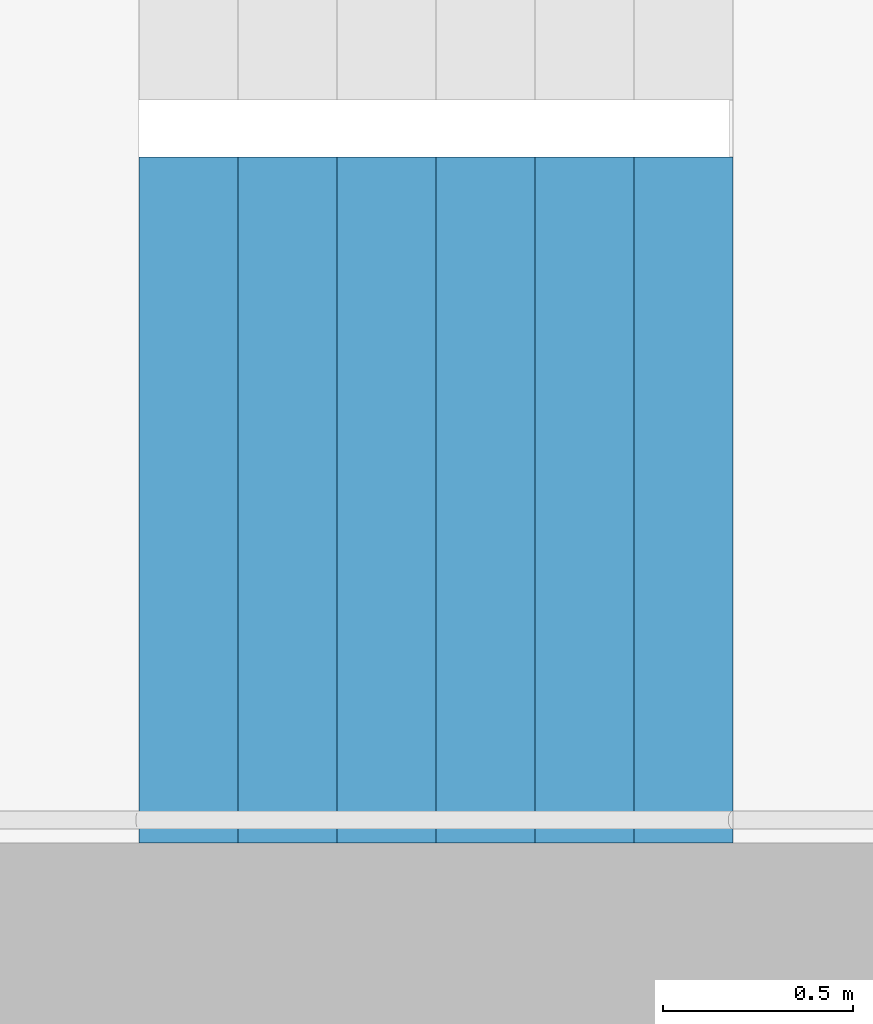
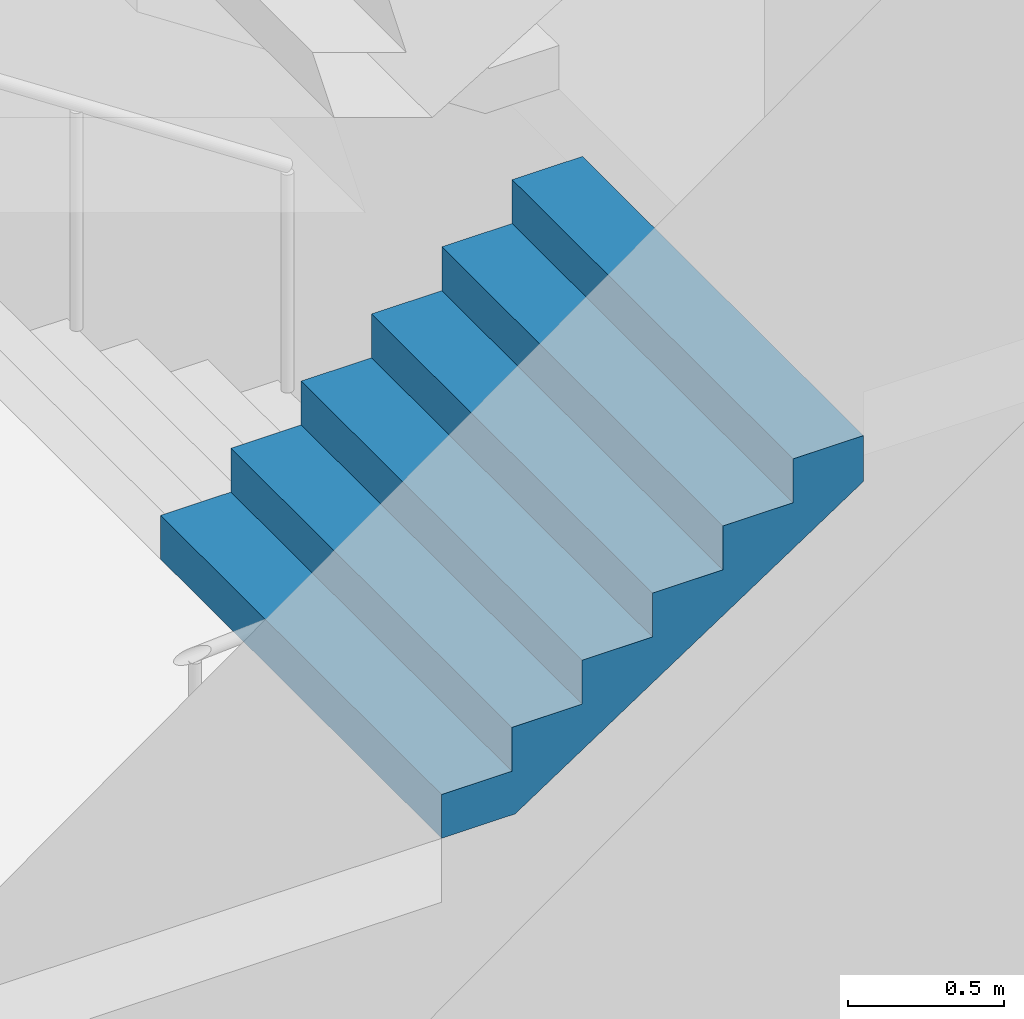
# One storey, part 27 of 53: 1 stair flight, 1 element without a shape of its own.
"""IFC4 building model written with IfcOpenShell, lengths in metres."""

import ifcopenshell
import ifcopenshell.guid

model = None  # the IFC model being written
_history = None  # IfcOwnerHistory: only IFC2X3 demands one
_inside = {}  # id of a spatial element -> (the spatial element, [elements in it])
_under = {}  # id of a project, library or spatial element -> (it, [spatial elements below it])
_declared = {}  # id of a project -> (the project, [libraries it declares])
_typed = {}  # id of a type object -> (the type object, [elements of that type])
_made_of = {}  # id of a material, layer set ... -> (it, [elements and type objects made of it])


def new_model(schema):
    """Start an empty IFC model of exactly this schema.

    Asked for "IFC4X3", IfcOpenShell would pick the latest addendum, in which some entities
    have other attributes; the version numbers below select the first issue.
    IFC2X3 requires an IfcOwnerHistory on every rooted entity: one is made here for all.
    """
    global model, _history
    if schema == "IFC4X3":
        model = ifcopenshell.file(schema_version=(4, 3, 0, 0))
    else:
        model = ifcopenshell.file(schema=schema)
    _inside.clear()
    _under.clear()
    _declared.clear()
    _typed.clear()
    _made_of.clear()
    _history = None
    if model.schema == "IFC2X3":
        org = make("IfcOrganization", Name="unknown")
        user = make(
            "IfcPersonAndOrganization",
            ThePerson=make("IfcPerson", FamilyName="unknown"),
            TheOrganization=org,
        )
        app = make(
            "IfcApplication",
            ApplicationDeveloper=org,
            Version="unknown",
            ApplicationFullName="unknown",
            ApplicationIdentifier="unknown",
        )
        _history = make(
            "IfcOwnerHistory",
            OwningUser=user,
            OwningApplication=app,
            ChangeAction="ADDED",
            CreationDate=0,
        )
    return model


def make(cls, **values):
    """One entity of the class cls with the attributes given. An attribute that is None is left unset."""
    return model.create_entity(
        cls, **{name: value for name, value in values.items() if value is not None}
    )


def rooted(cls, **values):
    """An entity with a GlobalId (a new one), such as an element, a storey or a relation."""
    return make(cls, GlobalId=ifcopenshell.guid.new(), OwnerHistory=_history, **values)


def si_unit(unit_type, name, prefix=None):
    """IfcSIUnit, for example si_unit("LENGTHUNIT", "METRE", prefix="MILLI")."""
    return make("IfcSIUnit", UnitType=unit_type, Prefix=prefix, Name=name)


def assignment(units):
    """IfcUnitAssignment: the units of a project."""
    return None if units is None else make("IfcUnitAssignment", Units=units)


def point(xyz):
    """IfcCartesianPoint."""
    return None if xyz is None else make("IfcCartesianPoint", Coordinates=xyz)


def direction(xyz):
    """IfcDirection."""
    return None if xyz is None else make("IfcDirection", DirectionRatios=xyz)


def frame(location, z_axis=None, x_axis=None):
    """IfcAxis2Placement3D, a coordinate frame: its origin and axes. An axis left out is left unset."""
    return make(
        "IfcAxis2Placement3D",
        Location=point(location),
        Axis=direction(z_axis),
        RefDirection=direction(x_axis),
    )


def origin():
    """The frame at (0, 0, 0) with its axes left unset."""
    return frame((0.0, 0.0, 0.0))


def place(relative_to, where):
    """IfcLocalPlacement: puts the frame where relative to a parent placement (None: the world)."""
    return make(
        "IfcLocalPlacement", PlacementRelTo=relative_to, RelativePlacement=where
    )


def context(
    kind, dimensions, precision=None, world=None, true_north=None, identifier=None
):
    """IfcGeometricRepresentationContext, for example the 3D "Model" context."""
    return make(
        "IfcGeometricRepresentationContext",
        ContextIdentifier=identifier,
        ContextType=kind,
        CoordinateSpaceDimension=dimensions,
        Precision=precision,
        WorldCoordinateSystem=world,
        TrueNorth=true_north,
    )


def subcontext(parent, identifier, kind, view, scale=None):
    """IfcGeometricRepresentationSubContext, for example "Body" below "Model"."""
    return make(
        "IfcGeometricRepresentationSubContext",
        ContextIdentifier=identifier,
        ContextType=kind,
        ParentContext=parent,
        TargetScale=scale,
        TargetView=view,
    )


def project(units=None, contexts=None):
    """IfcProject with its units and contexts."""
    return rooted(
        "IfcProject",
        Name="project",
        RepresentationContexts=contexts,
        UnitsInContext=assignment(units),
    )


def spatial(cls, under=None, at=None, **own):
    """A site, building, storey or space (cls), placed at a placement, below another one or the project."""
    s = rooted(cls, ObjectPlacement=at, **own)
    if under is not None:
        _under.setdefault(under.id(), (under, []))[1].append(s)
    return s


def point_list(points):
    """IfcCartesianPointList2D or 3D."""
    cls = (
        "IfcCartesianPointList2D" if len(points[0]) == 2 else "IfcCartesianPointList3D"
    )
    return make(cls, CoordList=points)


def triangles(points, corners, closed=None, point_numbers=None):
    """IfcTriangulatedFaceSet: each triangle names its three corners, points numbered from 1."""
    return make(
        "IfcTriangulatedFaceSet",
        Coordinates=point_list(points),
        Closed=closed,
        CoordIndex=corners,
        PnIndex=point_numbers,
    )


def shape(context_of_items, identifier, shape_type, items):
    """IfcShapeRepresentation: the items that make up one representation, for example the "Body"."""
    return make(
        "IfcShapeRepresentation",
        ContextOfItems=context_of_items,
        RepresentationIdentifier=identifier,
        RepresentationType=shape_type,
        Items=items,
    )


def material(Name=None, Category=None):
    """IfcMaterial."""
    return make("IfcMaterial", Name=Name, Category=Category)


def made_of(thing, what):
    """Note that an element or type object is made of a material, layer set ...; save() writes the relation."""
    if what is not None:
        _made_of.setdefault(what.id(), (what, []))[1].append(thing)
    return thing


def type_object(cls, material=None, **own):
    """A type object (cls), such as IfcWallType, which elements share."""
    return made_of(rooted(cls, **own), material)


def element(
    cls,
    number,
    at=None,
    inside=None,
    cuts=None,
    type_object=None,
    material=None,
    context=None,
    identifier="Body",
    shape_type=None,
    held_by="IfcProductDefinitionShape",
    body=None,
    shapes=None,
    **own,
):
    """One element of the class cls, such as IfcWall. Its Tag is "e" and its number.

    at: its placement. inside: the storey or other place that contains it. cuts: it is an
    opening in that element (IfcRelVoidsElement). A single representation is given by context,
    identifier, shape_type and body (its items); several are given by shapes. held_by: the class
    of the entity that holds the representations. save() writes the other relations.
    """
    e = rooted(cls, Tag="e%d" % number, ObjectPlacement=at, **own)
    if body is not None:
        shapes = [shape(context, identifier, shape_type, body)]
    if shapes is not None:
        e.Representation = make(held_by, Representations=shapes)
    if inside is not None:
        _inside.setdefault(inside.id(), (inside, []))[1].append(e)
    if cuts is not None:
        rooted(
            "IfcRelVoidsElement", RelatingBuildingElement=cuts, RelatedOpeningElement=e
        )
    if type_object is not None:
        _typed.setdefault(type_object.id(), (type_object, []))[1].append(e)
    return made_of(e, material)


def aggregate(whole, parts):
    """IfcRelAggregates: a whole, such as a stair, and the parts it consists of."""
    return rooted("IfcRelAggregates", RelatingObject=whole, RelatedObjects=parts)


def save(model, path):
    """Write the relations noted so far, then the file.

    IfcRelAggregates (storeys below a building ...), IfcRelContainedInSpatialStructure (elements
    in a storey), IfcRelDefinesByType, IfcRelAssociatesMaterial and IfcRelDeclares: one each for
    every whole, place, type object, material and project.
    """
    for whole, parts in _under.values():
        aggregate(whole, parts)
    for where, things in _inside.values():
        rooted(
            "IfcRelContainedInSpatialStructure",
            RelatedElements=things,
            RelatingStructure=where,
        )
    for kind, things in _typed.values():
        rooted("IfcRelDefinesByType", RelatedObjects=things, RelatingType=kind)
    for what, things in _made_of.values():
        rooted("IfcRelAssociatesMaterial", RelatedObjects=things, RelatingMaterial=what)
    for by, libraries in _declared.values():
        rooted("IfcRelDeclares", RelatingContext=by, RelatedDefinitions=libraries)
    model.write(path)


model = new_model("IFC4")

# Units and contexts
model_context = context("Model", 3, precision=1e-05, world=origin(), true_north=direction((0.0, 1.0)))
body_context = subcontext(model_context, "Body", "Model", "MODEL_VIEW")
ifc_project = project(units=[si_unit("LENGTHUNIT", "METRE"), si_unit("AREAUNIT", "SQUARE_METRE"), si_unit("VOLUMEUNIT", "CUBIC_METRE"), si_unit("PLANEANGLEUNIT", "RADIAN"), si_unit("MASSUNIT", "GRAM", prefix="KILO")], contexts=[model_context])

# Site, building, storey
site_placement = place(None, origin())
site = spatial("IfcSite", under=ifc_project, at=site_placement, CompositionType="ELEMENT")
building_placement = place(site_placement, origin())
building = spatial("IfcBuilding", under=site, at=building_placement, Name="Hakoniwa Tower and Hamabe Station Hall", CompositionType="ELEMENT")
storey_placement = place(building_placement, frame((0.0, 0.0, 15.0)))
storey = spatial("IfcBuildingStorey", under=building, at=storey_placement, Name="L03", CompositionType="ELEMENT", Elevation=15.0)

# Stair, stair flight
ifc_material_1 = material(Name="Concrete C40", Category="concrete")
stair_type = type_object("IfcStairType", Name="ESCAPE STAIR 1800", PredefinedType="HALF_TURN_STAIR", material=ifc_material_1)
stair_placement = place(storey_placement, origin())
stair = element("IfcStair", 1, at=stair_placement, inside=storey, type_object=stair_type, Name="Escape stair ST-2 L03", PredefinedType="HALF_TURN_STAIR")
ifc_material_2 = material(Name="Concrete C40", Category="concrete")
stair_flight_type = type_object("IfcStairFlightType", Name="STAIR FLIGHT 1800", PredefinedType="STRAIGHT", material=ifc_material_2)
stair_flight_placement = place(storey_placement, frame((-24.9599609375, -6.60009765625, 1.199951171875), z_axis=(0.0, 0.0, 1.0), x_axis=(1.0, 0.0, 0.0)))
stair_flight = element("IfcStairFlight", 2, at=stair_flight_placement, type_object=stair_flight_type, Name="ST-2 flight 2", NumberOfRisers=7, NumberOfTreads=6, PredefinedType="STRAIGHT", RiserHeight=0.171428571, TreadLength=0.26, context=body_context, shape_type="Tessellation", body=[
    triangles([(0.0, 0.89990234375, 0.0), (0.260009765625, 0.89990234375, 0.0), (0.272216796875, 0.89990234375, 0.0), (0.52001953125, 0.89990234375, 0.163330078125), (0.780029296875, 0.89990234375, 0.334716796875), (1.0400390625, 0.89990234375, 0.506103515625), (1.300048828125, 0.89990234375, 0.677490234375), (1.56005859375, 0.89990234375, 0.84912109375), (1.56005859375, 0.89990234375, 1.028564453125), (1.300048828125, 0.89990234375, 1.028564453125), (1.300048828125, 0.89990234375, 0.857177734375), (1.0400390625, 0.89990234375, 0.857177734375), (1.0400390625, 0.89990234375, 0.685791015625), (0.780029296875, 0.89990234375, 0.685791015625), (0.780029296875, 0.89990234375, 0.514404296875), (0.52001953125, 0.89990234375, 0.514404296875), (0.52001953125, 0.89990234375, 0.3427734375), (0.272216796875, 0.89990234375, 0.3427734375), (0.260009765625, 0.89990234375, 0.3427734375), (0.260009765625, 0.89990234375, 0.17138671875), (0.0, 0.89990234375, 0.17138671875), (0.0, 0.06005859375, 0.0), (0.260009765625, 0.06005859375, 0.0), (0.272216796875, 0.06005859375, 0.0), (0.52001953125, 0.06005859375, 0.163330078125), (0.780029296875, 0.06005859375, 0.334716796875), (1.0400390625, 0.06005859375, 0.506103515625), (1.300048828125, 0.06005859375, 0.677490234375), (1.56005859375, 0.06005859375, 0.84912109375), (1.56005859375, 0.06005859375, 1.028564453125), (1.300048828125, 0.06005859375, 1.028564453125), (1.300048828125, 0.06005859375, 0.857177734375), (1.0400390625, 0.06005859375, 0.857177734375), (1.0400390625, 0.06005859375, 0.685791015625), (0.780029296875, 0.06005859375, 0.685791015625), (0.780029296875, 0.06005859375, 0.514404296875), (0.52001953125, 0.06005859375, 0.514404296875), (0.52001953125, 0.06005859375, 0.3427734375), (0.272216796875, 0.06005859375, 0.3427734375), (0.260009765625, 0.06005859375, 0.3427734375), (0.260009765625, 0.06005859375, 0.17138671875), (0.0, 0.06005859375, 0.17138671875), (0.0, 0.049072265625, 0.0), (0.260009765625, 0.049072265625, 0.0), (0.272216796875, 0.049072265625, 0.0), (0.52001953125, 0.049072265625, 0.163330078125), (0.780029296875, 0.049072265625, 0.334716796875), (1.0400390625, 0.049072265625, 0.506103515625), (1.300048828125, 0.049072265625, 0.677490234375), (1.56005859375, 0.049072265625, 0.84912109375), (1.56005859375, 0.049072265625, 1.028564453125), (1.300048828125, 0.049072265625, 1.028564453125), (1.300048828125, 0.049072265625, 0.857177734375), (1.0400390625, 0.049072265625, 0.857177734375), (1.0400390625, 0.049072265625, 0.685791015625), (0.780029296875, 0.049072265625, 0.685791015625), (0.780029296875, 0.049072265625, 0.514404296875), (0.52001953125, 0.049072265625, 0.514404296875), (0.52001953125, 0.049072265625, 0.3427734375), (0.272216796875, 0.049072265625, 0.3427734375), (0.260009765625, 0.049072265625, 0.3427734375), (0.260009765625, 0.049072265625, 0.17138671875), (0.0, 0.049072265625, 0.17138671875), (0.0, 0.0380859375, 0.0), (0.260009765625, 0.0380859375, 0.0), (0.272216796875, 0.0380859375, 0.0), (0.52001953125, 0.0380859375, 0.163330078125), (0.780029296875, 0.0380859375, 0.334716796875), (1.0400390625, 0.0380859375, 0.506103515625), (1.300048828125, 0.0380859375, 0.677490234375), (1.56005859375, 0.0380859375, 0.84912109375), (1.56005859375, 0.0380859375, 1.028564453125), (1.300048828125, 0.0380859375, 1.028564453125), (1.300048828125, 0.0380859375, 0.857177734375), (1.0400390625, 0.0380859375, 0.857177734375), (1.0400390625, 0.0380859375, 0.685791015625), (0.780029296875, 0.0380859375, 0.685791015625), (0.780029296875, 0.0380859375, 0.514404296875), (0.52001953125, 0.0380859375, 0.514404296875), (0.52001953125, 0.0380859375, 0.3427734375), (0.272216796875, 0.0380859375, 0.3427734375), (0.260009765625, 0.0380859375, 0.3427734375), (0.260009765625, 0.0380859375, 0.17138671875), (0.0, 0.0380859375, 0.17138671875), (0.0, 0.02734375, 0.0), (0.260009765625, 0.02734375, 0.0), (0.272216796875, 0.02734375, 0.0), (0.52001953125, 0.02734375, 0.163330078125), (0.780029296875, 0.02734375, 0.334716796875), (1.0400390625, 0.02734375, 0.506103515625), (1.300048828125, 0.02734375, 0.677490234375), (1.56005859375, 0.02734375, 0.84912109375), (1.56005859375, 0.02734375, 1.028564453125), (1.300048828125, 0.02734375, 1.028564453125), (1.300048828125, 0.02734375, 0.857177734375), (1.0400390625, 0.02734375, 0.857177734375), (1.0400390625, 0.02734375, 0.685791015625), (0.780029296875, 0.02734375, 0.685791015625), (0.780029296875, 0.02734375, 0.514404296875), (0.52001953125, 0.02734375, 0.514404296875), (0.52001953125, 0.02734375, 0.3427734375), (0.272216796875, 0.02734375, 0.3427734375), (0.260009765625, 0.02734375, 0.3427734375), (0.260009765625, 0.02734375, 0.17138671875), (0.0, 0.02734375, 0.17138671875), (0.0, 0.016357421875, 0.0), (0.260009765625, 0.016357421875, 0.0), (0.272216796875, 0.016357421875, 0.0), (0.52001953125, 0.016357421875, 0.163330078125), (0.780029296875, 0.016357421875, 0.334716796875), (1.0400390625, 0.016357421875, 0.506103515625), (1.300048828125, 0.016357421875, 0.677490234375), (1.56005859375, 0.016357421875, 0.84912109375), (1.56005859375, 0.016357421875, 1.028564453125), (1.300048828125, 0.016357421875, 1.028564453125), (1.300048828125, 0.016357421875, 0.857177734375), (1.0400390625, 0.016357421875, 0.857177734375), (1.0400390625, 0.016357421875, 0.685791015625), (0.780029296875, 0.016357421875, 0.685791015625), (0.780029296875, 0.016357421875, 0.514404296875), (0.52001953125, 0.016357421875, 0.514404296875), (0.52001953125, 0.016357421875, 0.3427734375), (0.272216796875, 0.016357421875, 0.3427734375), (0.260009765625, 0.016357421875, 0.3427734375), (0.260009765625, 0.016357421875, 0.17138671875), (0.0, 0.016357421875, 0.17138671875), (0.0, 0.00537109375, 0.0), (0.260009765625, 0.00537109375, 0.0), (0.272216796875, 0.00537109375, 0.0), (0.52001953125, 0.00537109375, 0.163330078125), (0.780029296875, 0.00537109375, 0.334716796875), (1.0400390625, 0.00537109375, 0.506103515625), (1.300048828125, 0.00537109375, 0.677490234375), (1.56005859375, 0.00537109375, 0.84912109375), (1.56005859375, 0.00537109375, 1.028564453125), (1.300048828125, 0.00537109375, 1.028564453125), (1.300048828125, 0.00537109375, 0.857177734375), (1.0400390625, 0.00537109375, 0.857177734375), (1.0400390625, 0.00537109375, 0.685791015625), (0.780029296875, 0.00537109375, 0.685791015625), (0.780029296875, 0.00537109375, 0.514404296875), (0.52001953125, 0.00537109375, 0.514404296875), (0.52001953125, 0.00537109375, 0.3427734375), (0.272216796875, 0.00537109375, 0.3427734375), (0.260009765625, 0.00537109375, 0.3427734375), (0.260009765625, 0.00537109375, 0.17138671875), (0.0, 0.00537109375, 0.17138671875), (0.0, -0.00537109375, 0.0), (0.260009765625, -0.00537109375, 0.0), (0.272216796875, -0.00537109375, 0.0), (0.52001953125, -0.00537109375, 0.163330078125), (0.780029296875, -0.00537109375, 0.334716796875), (1.0400390625, -0.00537109375, 0.506103515625), (1.300048828125, -0.00537109375, 0.677490234375), (1.56005859375, -0.00537109375, 0.84912109375), (1.56005859375, -0.00537109375, 1.028564453125), (1.300048828125, -0.00537109375, 1.028564453125), (1.300048828125, -0.00537109375, 0.857177734375), (1.0400390625, -0.00537109375, 0.857177734375), (1.0400390625, -0.00537109375, 0.685791015625), (0.780029296875, -0.00537109375, 0.685791015625), (0.780029296875, -0.00537109375, 0.514404296875), (0.52001953125, -0.00537109375, 0.514404296875), (0.52001953125, -0.00537109375, 0.3427734375), (0.272216796875, -0.00537109375, 0.3427734375), (0.260009765625, -0.00537109375, 0.3427734375), (0.260009765625, -0.00537109375, 0.17138671875), (0.0, -0.00537109375, 0.17138671875), (0.0, -0.016357421875, 0.0), (0.260009765625, -0.016357421875, 0.0), (0.272216796875, -0.016357421875, 0.0), (0.52001953125, -0.016357421875, 0.163330078125), (0.780029296875, -0.016357421875, 0.334716796875), (1.0400390625, -0.016357421875, 0.506103515625), (1.300048828125, -0.016357421875, 0.677490234375), (1.56005859375, -0.016357421875, 0.84912109375), (1.56005859375, -0.016357421875, 1.028564453125), (1.300048828125, -0.016357421875, 1.028564453125), (1.300048828125, -0.016357421875, 0.857177734375), (1.0400390625, -0.016357421875, 0.857177734375), (1.0400390625, -0.016357421875, 0.685791015625), (0.780029296875, -0.016357421875, 0.685791015625), (0.780029296875, -0.016357421875, 0.514404296875), (0.52001953125, -0.016357421875, 0.514404296875), (0.52001953125, -0.016357421875, 0.3427734375), (0.272216796875, -0.016357421875, 0.3427734375), (0.260009765625, -0.016357421875, 0.3427734375), (0.260009765625, -0.016357421875, 0.17138671875), (0.0, -0.016357421875, 0.17138671875), (0.0, -0.02734375, 0.0), (0.260009765625, -0.02734375, 0.0), (0.272216796875, -0.02734375, 0.0), (0.52001953125, -0.02734375, 0.163330078125), (0.780029296875, -0.02734375, 0.334716796875), (1.0400390625, -0.02734375, 0.506103515625), (1.300048828125, -0.02734375, 0.677490234375), (1.56005859375, -0.02734375, 0.84912109375), (1.56005859375, -0.02734375, 1.028564453125), (1.300048828125, -0.02734375, 1.028564453125), (1.300048828125, -0.02734375, 0.857177734375), (1.0400390625, -0.02734375, 0.857177734375), (1.0400390625, -0.02734375, 0.685791015625), (0.780029296875, -0.02734375, 0.685791015625), (0.780029296875, -0.02734375, 0.514404296875), (0.52001953125, -0.02734375, 0.514404296875), (0.52001953125, -0.02734375, 0.3427734375), (0.272216796875, -0.02734375, 0.3427734375), (0.260009765625, -0.02734375, 0.3427734375), (0.260009765625, -0.02734375, 0.17138671875), (0.0, -0.02734375, 0.17138671875), (0.0, -0.0380859375, 0.0), (0.260009765625, -0.0380859375, 0.0), (0.272216796875, -0.0380859375, 0.0), (0.52001953125, -0.0380859375, 0.163330078125), (0.780029296875, -0.0380859375, 0.334716796875), (1.0400390625, -0.0380859375, 0.506103515625), (1.300048828125, -0.0380859375, 0.677490234375), (1.56005859375, -0.0380859375, 0.84912109375), (1.56005859375, -0.0380859375, 1.028564453125), (1.300048828125, -0.0380859375, 1.028564453125), (1.300048828125, -0.0380859375, 0.857177734375), (1.0400390625, -0.0380859375, 0.857177734375), (1.0400390625, -0.0380859375, 0.685791015625), (0.780029296875, -0.0380859375, 0.685791015625), (0.780029296875, -0.0380859375, 0.514404296875), (0.52001953125, -0.0380859375, 0.514404296875), (0.52001953125, -0.0380859375, 0.3427734375), (0.272216796875, -0.0380859375, 0.3427734375), (0.260009765625, -0.0380859375, 0.3427734375), (0.260009765625, -0.0380859375, 0.17138671875), (0.0, -0.0380859375, 0.17138671875), (0.0, -0.049072265625, 0.0), (0.260009765625, -0.049072265625, 0.0), (0.272216796875, -0.049072265625, 0.0), (0.52001953125, -0.049072265625, 0.163330078125), (0.780029296875, -0.049072265625, 0.334716796875), (1.0400390625, -0.049072265625, 0.506103515625), (1.300048828125, -0.049072265625, 0.677490234375), (1.56005859375, -0.049072265625, 0.84912109375), (1.56005859375, -0.049072265625, 1.028564453125), (1.300048828125, -0.049072265625, 1.028564453125), (1.300048828125, -0.049072265625, 0.857177734375), (1.0400390625, -0.049072265625, 0.857177734375), (1.0400390625, -0.049072265625, 0.685791015625), (0.780029296875, -0.049072265625, 0.685791015625), (0.780029296875, -0.049072265625, 0.514404296875), (0.52001953125, -0.049072265625, 0.514404296875), (0.52001953125, -0.049072265625, 0.3427734375), (0.272216796875, -0.049072265625, 0.3427734375), (0.260009765625, -0.049072265625, 0.3427734375), (0.260009765625, -0.049072265625, 0.17138671875), (0.0, -0.049072265625, 0.17138671875), (0.0, -0.06005859375, 0.0), (0.260009765625, -0.06005859375, 0.0), (0.272216796875, -0.06005859375, 0.0), (0.52001953125, -0.06005859375, 0.163330078125), (0.780029296875, -0.06005859375, 0.334716796875), (1.0400390625, -0.06005859375, 0.506103515625), (1.300048828125, -0.06005859375, 0.677490234375), (1.56005859375, -0.06005859375, 0.84912109375), (1.56005859375, -0.06005859375, 1.028564453125), (1.300048828125, -0.06005859375, 1.028564453125), (1.300048828125, -0.06005859375, 0.857177734375), (1.0400390625, -0.06005859375, 0.857177734375), (1.0400390625, -0.06005859375, 0.685791015625), (0.780029296875, -0.06005859375, 0.685791015625), (0.780029296875, -0.06005859375, 0.514404296875), (0.52001953125, -0.06005859375, 0.514404296875), (0.52001953125, -0.06005859375, 0.3427734375), (0.272216796875, -0.06005859375, 0.3427734375), (0.260009765625, -0.06005859375, 0.3427734375), (0.260009765625, -0.06005859375, 0.17138671875), (0.0, -0.06005859375, 0.17138671875), (0.0, -0.89990234375, 0.0), (0.260009765625, -0.89990234375, 0.0), (0.272216796875, -0.89990234375, 0.0), (0.52001953125, -0.89990234375, 0.163330078125), (0.780029296875, -0.89990234375, 0.334716796875), (1.0400390625, -0.89990234375, 0.506103515625), (1.300048828125, -0.89990234375, 0.677490234375), (1.56005859375, -0.89990234375, 0.84912109375), (1.56005859375, -0.89990234375, 1.028564453125), (1.300048828125, -0.89990234375, 1.028564453125), (1.300048828125, -0.89990234375, 0.857177734375), (1.0400390625, -0.89990234375, 0.857177734375), (1.0400390625, -0.89990234375, 0.685791015625), (0.780029296875, -0.89990234375, 0.685791015625), (0.780029296875, -0.89990234375, 0.514404296875), (0.52001953125, -0.89990234375, 0.514404296875), (0.52001953125, -0.89990234375, 0.3427734375), (0.272216796875, -0.89990234375, 0.3427734375), (0.260009765625, -0.89990234375, 0.3427734375), (0.260009765625, -0.89990234375, 0.17138671875), (0.0, -0.89990234375, 0.17138671875)], [[2, 21, 20], [275, 293, 294], [2, 1, 21], [275, 294, 274], [3, 19, 18], [276, 291, 292], [3, 20, 19], [276, 292, 293], [3, 2, 20], [276, 293, 275], [4, 18, 17], [277, 290, 291], [4, 3, 18], [277, 291, 276], [5, 16, 15], [278, 288, 289], [5, 17, 16], [278, 289, 290], [5, 4, 17], [278, 290, 277], [6, 14, 13], [279, 286, 287], [6, 15, 14], [279, 287, 288], [6, 5, 15], [279, 288, 278], [7, 12, 11], [280, 284, 285], [7, 13, 12], [280, 285, 286], [7, 6, 13], [280, 286, 279], [8, 10, 9], [281, 282, 283], [8, 11, 10], [281, 283, 284], [8, 7, 11], [281, 284, 280], [1, 2, 23], [1, 23, 22], [22, 23, 44], [22, 44, 43], [43, 44, 65], [43, 65, 64], [64, 65, 86], [64, 86, 85], [85, 86, 107], [85, 107, 106], [106, 107, 128], [106, 128, 127], [127, 128, 149], [127, 149, 148], [148, 149, 170], [148, 170, 169], [169, 170, 191], [169, 191, 190], [190, 191, 212], [190, 212, 211], [211, 212, 233], [211, 233, 232], [232, 233, 254], [232, 254, 253], [253, 254, 275], [253, 275, 274], [2, 3, 24], [2, 24, 23], [23, 24, 45], [23, 45, 44], [44, 45, 66], [44, 66, 65], [65, 66, 87], [65, 87, 86], [86, 87, 108], [86, 108, 107], [107, 108, 129], [107, 129, 128], [128, 129, 150], [128, 150, 149], [149, 150, 171], [149, 171, 170], [170, 171, 192], [170, 192, 191], [191, 192, 213], [191, 213, 212], [212, 213, 234], [212, 234, 233], [233, 234, 255], [233, 255, 254], [254, 255, 276], [254, 276, 275], [3, 4, 25], [3, 25, 24], [24, 25, 46], [24, 46, 45], [45, 46, 67], [45, 67, 66], [66, 67, 88], [66, 88, 87], [87, 88, 109], [87, 109, 108], [108, 109, 130], [108, 130, 129], [129, 130, 151], [129, 151, 150], [150, 151, 172], [150, 172, 171], [171, 172, 193], [171, 193, 192], [192, 193, 214], [192, 214, 213], [213, 214, 235], [213, 235, 234], [234, 235, 256], [234, 256, 255], [255, 256, 277], [255, 277, 276], [4, 5, 26], [4, 26, 25], [25, 26, 47], [25, 47, 46], [46, 47, 68], [46, 68, 67], [67, 68, 89], [67, 89, 88], [88, 89, 110], [88, 110, 109], [109, 110, 131], [109, 131, 130], [130, 131, 152], [130, 152, 151], [151, 152, 173], [151, 173, 172], [172, 173, 194], [172, 194, 193], [193, 194, 215], [193, 215, 214], [214, 215, 236], [214, 236, 235], [235, 236, 257], [235, 257, 256], [256, 257, 278], [256, 278, 277], [5, 6, 27], [5, 27, 26], [26, 27, 48], [26, 48, 47], [47, 48, 69], [47, 69, 68], [68, 69, 90], [68, 90, 89], [89, 90, 111], [89, 111, 110], [110, 111, 132], [110, 132, 131], [131, 132, 153], [131, 153, 152], [152, 153, 174], [152, 174, 173], [173, 174, 195], [173, 195, 194], [194, 195, 216], [194, 216, 215], [215, 216, 237], [215, 237, 236], [236, 237, 258], [236, 258, 257], [257, 258, 279], [257, 279, 278], [6, 7, 28], [6, 28, 27], [27, 28, 49], [27, 49, 48], [48, 49, 70], [48, 70, 69], [69, 70, 91], [69, 91, 90], [90, 91, 112], [90, 112, 111], [111, 112, 133], [111, 133, 132], [132, 133, 154], [132, 154, 153], [153, 154, 175], [153, 175, 174], [174, 175, 196], [174, 196, 195], [195, 196, 217], [195, 217, 216], [216, 217, 238], [216, 238, 237], [237, 238, 259], [237, 259, 258], [258, 259, 280], [258, 280, 279], [7, 8, 29], [7, 29, 28], [28, 29, 50], [28, 50, 49], [49, 50, 71], [49, 71, 70], [70, 71, 92], [70, 92, 91], [91, 92, 113], [91, 113, 112], [112, 113, 134], [112, 134, 133], [133, 134, 155], [133, 155, 154], [154, 155, 176], [154, 176, 175], [175, 176, 197], [175, 197, 196], [196, 197, 218], [196, 218, 217], [217, 218, 239], [217, 239, 238], [238, 239, 260], [238, 260, 259], [259, 260, 281], [259, 281, 280], [8, 9, 30], [8, 30, 29], [29, 30, 51], [29, 51, 50], [50, 51, 72], [50, 72, 71], [71, 72, 93], [71, 93, 92], [92, 93, 114], [92, 114, 113], [113, 114, 135], [113, 135, 134], [134, 135, 156], [134, 156, 155], [155, 156, 177], [155, 177, 176], [176, 177, 198], [176, 198, 197], [197, 198, 219], [197, 219, 218], [218, 219, 240], [218, 240, 239], [239, 240, 261], [239, 261, 260], [260, 261, 282], [260, 282, 281], [9, 10, 31], [9, 31, 30], [30, 31, 52], [30, 52, 51], [51, 52, 73], [51, 73, 72], [72, 73, 94], [72, 94, 93], [93, 94, 115], [93, 115, 114], [114, 115, 136], [114, 136, 135], [135, 136, 157], [135, 157, 156], [156, 157, 178], [156, 178, 177], [177, 178, 199], [177, 199, 198], [198, 199, 220], [198, 220, 219], [219, 220, 241], [219, 241, 240], [240, 241, 262], [240, 262, 261], [261, 262, 283], [261, 283, 282], [10, 11, 32], [10, 32, 31], [31, 32, 53], [31, 53, 52], [52, 53, 74], [52, 74, 73], [73, 74, 95], [73, 95, 94], [94, 95, 116], [94, 116, 115], [115, 116, 137], [115, 137, 136], [136, 137, 158], [136, 158, 157], [157, 158, 179], [157, 179, 178], [178, 179, 200], [178, 200, 199], [199, 200, 221], [199, 221, 220], [220, 221, 242], [220, 242, 241], [241, 242, 263], [241, 263, 262], [262, 263, 284], [262, 284, 283], [11, 12, 33], [11, 33, 32], [32, 33, 54], [32, 54, 53], [53, 54, 75], [53, 75, 74], [74, 75, 96], [74, 96, 95], [95, 96, 117], [95, 117, 116], [116, 117, 138], [116, 138, 137], [137, 138, 159], [137, 159, 158], [158, 159, 180], [158, 180, 179], [179, 180, 201], [179, 201, 200], [200, 201, 222], [200, 222, 221], [221, 222, 243], [221, 243, 242], [242, 243, 264], [242, 264, 263], [263, 264, 285], [263, 285, 284], [12, 13, 34], [12, 34, 33], [33, 34, 55], [33, 55, 54], [54, 55, 76], [54, 76, 75], [75, 76, 97], [75, 97, 96], [96, 97, 118], [96, 118, 117], [117, 118, 139], [117, 139, 138], [138, 139, 160], [138, 160, 159], [159, 160, 181], [159, 181, 180], [180, 181, 202], [180, 202, 201], [201, 202, 223], [201, 223, 222], [222, 223, 244], [222, 244, 243], [243, 244, 265], [243, 265, 264], [264, 265, 286], [264, 286, 285], [13, 14, 35], [13, 35, 34], [34, 35, 56], [34, 56, 55], [55, 56, 77], [55, 77, 76], [76, 77, 98], [76, 98, 97], [97, 98, 119], [97, 119, 118], [118, 119, 140], [118, 140, 139], [139, 140, 161], [139, 161, 160], [160, 161, 182], [160, 182, 181], [181, 182, 203], [181, 203, 202], [202, 203, 224], [202, 224, 223], [223, 224, 245], [223, 245, 244], [244, 245, 266], [244, 266, 265], [265, 266, 287], [265, 287, 286], [14, 15, 36], [14, 36, 35], [35, 36, 57], [35, 57, 56], [56, 57, 78], [56, 78, 77], [77, 78, 99], [77, 99, 98], [98, 99, 120], [98, 120, 119], [119, 120, 141], [119, 141, 140], [140, 141, 162], [140, 162, 161], [161, 162, 183], [161, 183, 182], [182, 183, 204], [182, 204, 203], [203, 204, 225], [203, 225, 224], [224, 225, 246], [224, 246, 245], [245, 246, 267], [245, 267, 266], [266, 267, 288], [266, 288, 287], [15, 16, 37], [15, 37, 36], [36, 37, 58], [36, 58, 57], [57, 58, 79], [57, 79, 78], [78, 79, 100], [78, 100, 99], [99, 100, 121], [99, 121, 120], [120, 121, 142], [120, 142, 141], [141, 142, 163], [141, 163, 162], [162, 163, 184], [162, 184, 183], [183, 184, 205], [183, 205, 204], [204, 205, 226], [204, 226, 225], [225, 226, 247], [225, 247, 246], [246, 247, 268], [246, 268, 267], [267, 268, 289], [267, 289, 288], [16, 17, 38], [16, 38, 37], [37, 38, 59], [37, 59, 58], [58, 59, 80], [58, 80, 79], [79, 80, 101], [79, 101, 100], [100, 101, 122], [100, 122, 121], [121, 122, 143], [121, 143, 142], [142, 143, 164], [142, 164, 163], [163, 164, 185], [163, 185, 184], [184, 185, 206], [184, 206, 205], [205, 206, 227], [205, 227, 226], [226, 227, 248], [226, 248, 247], [247, 248, 269], [247, 269, 268], [268, 269, 290], [268, 290, 289], [17, 18, 39], [17, 39, 38], [38, 39, 60], [38, 60, 59], [59, 60, 81], [59, 81, 80], [80, 81, 102], [80, 102, 101], [101, 102, 123], [101, 123, 122], [122, 123, 144], [122, 144, 143], [143, 144, 165], [143, 165, 164], [164, 165, 186], [164, 186, 185], [185, 186, 207], [185, 207, 206], [206, 207, 228], [206, 228, 227], [227, 228, 249], [227, 249, 248], [248, 249, 270], [248, 270, 269], [269, 270, 291], [269, 291, 290], [18, 19, 40], [18, 40, 39], [39, 40, 61], [39, 61, 60], [60, 61, 82], [60, 82, 81], [81, 82, 103], [81, 103, 102], [102, 103, 124], [102, 124, 123], [123, 124, 145], [123, 145, 144], [144, 145, 166], [144, 166, 165], [165, 166, 187], [165, 187, 186], [186, 187, 208], [186, 208, 207], [207, 208, 229], [207, 229, 228], [228, 229, 250], [228, 250, 249], [249, 250, 271], [249, 271, 270], [270, 271, 292], [270, 292, 291], [19, 20, 41], [19, 41, 40], [40, 41, 62], [40, 62, 61], [61, 62, 83], [61, 83, 82], [82, 83, 104], [82, 104, 103], [103, 104, 125], [103, 125, 124], [124, 125, 146], [124, 146, 145], [145, 146, 167], [145, 167, 166], [166, 167, 188], [166, 188, 187], [187, 188, 209], [187, 209, 208], [208, 209, 230], [208, 230, 229], [229, 230, 251], [229, 251, 250], [250, 251, 272], [250, 272, 271], [271, 272, 293], [271, 293, 292], [20, 21, 42], [20, 42, 41], [41, 42, 63], [41, 63, 62], [62, 63, 84], [62, 84, 83], [83, 84, 105], [83, 105, 104], [104, 105, 126], [104, 126, 125], [125, 126, 147], [125, 147, 146], [146, 147, 168], [146, 168, 167], [167, 168, 189], [167, 189, 188], [188, 189, 210], [188, 210, 209], [209, 210, 231], [209, 231, 230], [230, 231, 252], [230, 252, 251], [251, 252, 273], [251, 273, 272], [272, 273, 294], [272, 294, 293], [21, 1, 22], [21, 22, 42], [42, 22, 43], [42, 43, 63], [63, 43, 64], [63, 64, 84], [84, 64, 85], [84, 85, 105], [105, 85, 106], [105, 106, 126], [126, 106, 127], [126, 127, 147], [147, 127, 148], [147, 148, 168], [168, 148, 169], [168, 169, 189], [189, 169, 190], [189, 190, 210], [210, 190, 211], [210, 211, 231], [231, 211, 232], [231, 232, 252], [252, 232, 253], [252, 253, 273], [273, 253, 274], [273, 274, 294]], closed=True),
])
aggregate(stair, [stair_flight])

save(model, "model.ifc")
